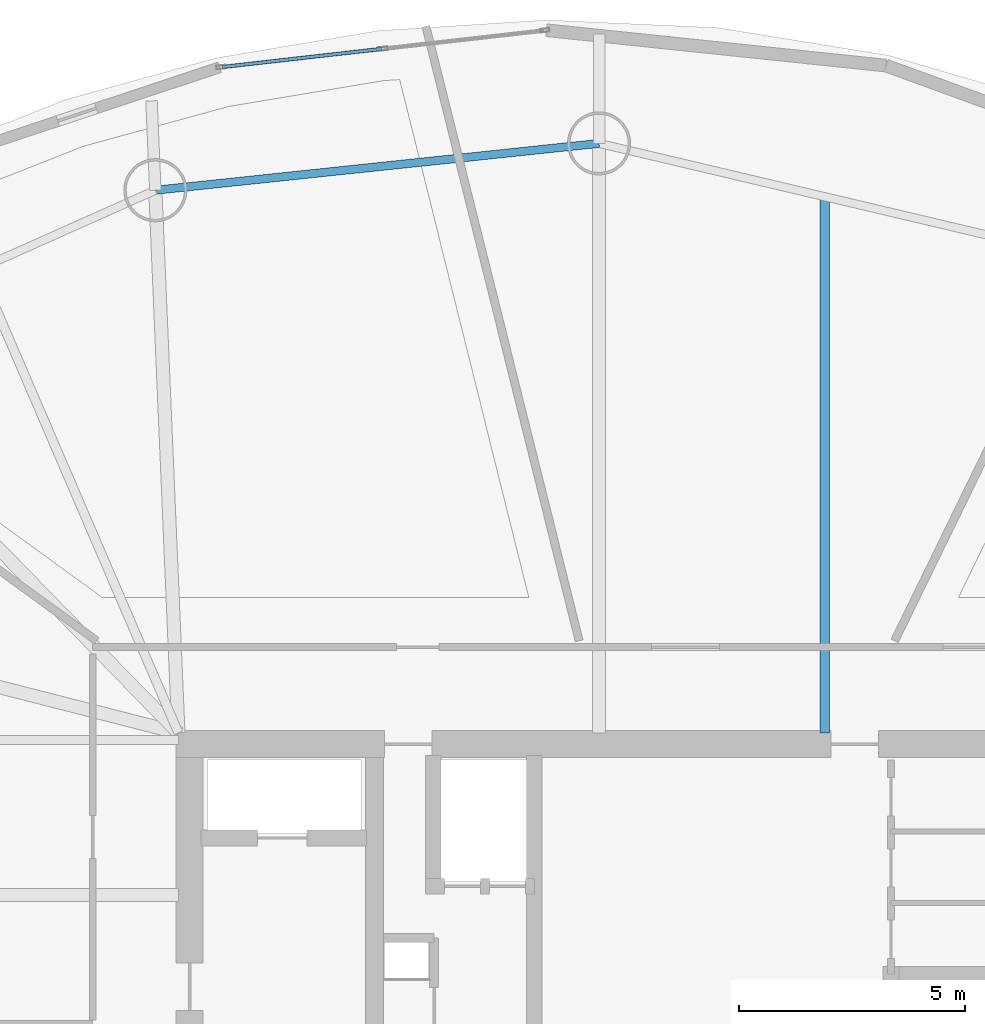
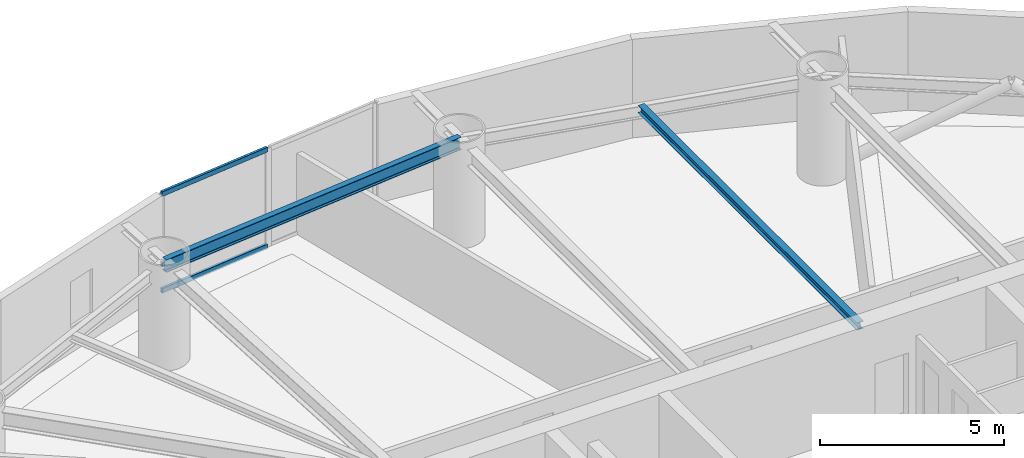
# One storey, part 12 of 22: 3 members, 2 beams, 1 element without a shape of its own.
"""IFC4 building model written with IfcOpenShell, lengths in metres."""

from ifc_helpers import new_model, si_unit, direction, frame, origin, origin_2d, place, context, subcontext, project, spatial, hollow_rectangle, i_section, extrude, material, layer, layer_set, material_profile, profile_set, type_object, element, aggregate, save


model = new_model("IFC4")

# Units and contexts
model_context = context("Model", 3, precision=1e-05, world=origin(), true_north=direction((0.0, 1.0)))
body_context = subcontext(model_context, "Body", "Model", "MODEL_VIEW")
ifc_project = project(units=[si_unit("LENGTHUNIT", "METRE"), si_unit("AREAUNIT", "SQUARE_METRE"), si_unit("VOLUMEUNIT", "CUBIC_METRE"), si_unit("PLANEANGLEUNIT", "RADIAN"), si_unit("MASSUNIT", "GRAM", prefix="KILO")], contexts=[model_context])

# Site, building, storey
site_placement = place(None, origin())
site = spatial("IfcSite", under=ifc_project, at=site_placement, CompositionType="ELEMENT")
building_placement = place(site_placement, origin())
building = spatial("IfcBuilding", under=site, at=building_placement, Name="Bramvorn Convention Spire", CompositionType="ELEMENT")
storey_placement = place(building_placement, frame((0.0, 0.0, 141.300048828125)))
storey = spatial("IfcBuildingStorey", under=building, at=storey_placement, Name="L35", CompositionType="ELEMENT", Elevation=141.300048828125)

# Beams
ifc_material_1 = material(Name="Steel CSA G40.21 Grade 350 (350W)", Category="steel")
ifc_material_profile_1 = material_profile(ifc_material_1, i_section(OverallWidth=0.201904296875, OverallDepth=0.2470703125, WebThickness=0.00732421875, FlangeThickness=0.010986328125, FilletRadius=0.011962890625, at=origin_2d()))
ifc_profile_set_1 = profile_set([ifc_material_profile_1], Name="Steel CSA G40.21 Grade 350 (350W) - W250X49")
beam_type_1 = type_object("IfcBeamType", Name="BM-W250X49", PredefinedType="JOIST", material=ifc_profile_set_1)
beam_1_placement = place(storey_placement, frame((41.079345703125, 33.449951171875, 3.136474609375), z_axis=(0.0, 1.0, 0.0), x_axis=(-1.0, 0.0, 0.0)))
element("IfcBeam", 1, at=beam_1_placement, inside=storey, type_object=beam_type_1, Name="L35 composite floor joist 05", PredefinedType="JOIST", context=body_context, shape_type="SweptSolid", body=[
    extrude(i_section(OverallWidth=0.201904296875, OverallDepth=0.2470703125, WebThickness=0.00732421875, FlangeThickness=0.010986328125, FilletRadius=0.011962890625, at=origin_2d()), origin(), (0.0, 0.0, 1.0), 11.8857421875),
])
ifc_material_profile_2 = material_profile(ifc_material_1, i_section(OverallWidth=0.180908203125, OverallDepth=0.4169921875, WebThickness=0.010986328125, FlangeThickness=0.018310546875, FilletRadius=0.01611328125, at=origin_2d()))
ifc_profile_set_2 = profile_set([ifc_material_profile_2], Name="Steel CSA G40.21 Grade 350 (350W) - W410X85")
beam_type_2 = type_object("IfcBeamType", Name="BM-W410X85", PredefinedType="JOIST", material=ifc_profile_set_2)
beam_2_placement = place(storey_placement, frame((36.075927734375, 46.517333984375, 3.051513671875), z_axis=(-0.994473491975, -0.104987969596, 0.0), x_axis=(0.104987969596, -0.994473491975, 0.0)))
element("IfcBeam", 2, at=beam_2_placement, inside=storey, type_object=beam_type_2, Name="L35 mega-column ring beam 06", PredefinedType="JOIST", context=body_context, shape_type="SweptSolid", body=[
    extrude(i_section(OverallWidth=0.180908203125, OverallDepth=0.4169921875, WebThickness=0.010986328125, FlangeThickness=0.018310546875, FilletRadius=0.01611328125, at=origin_2d()), origin(), (0.0, 0.0, 1.0), 9.892333984375),
])

# Curtain wall, members
ifc_material_2 = material(Name="Anodised Bronze Unitised Curtain Wall", Category="aluminium")
ifc_layer = layer(ifc_material_2, 0.179931640625)
ifc_layer_set = layer_set([ifc_layer], Name="Anodised Bronze Unitised Curtain Wall - CW-HTL-FRIT")
curtain_wall_type = type_object("IfcCurtainWallType", Name="CW-HTL-FRIT", PredefinedType="USERDEFINED", material=ifc_layer_set)
curtain_wall_placement = place(storey_placement, origin())
curtain_wall = element("IfcCurtainWall", 3, at=curtain_wall_placement, inside=storey, type_object=curtain_wall_type, Name="L35 fritted glass curtain wall 09", ObjectType="UNITISED CURTAIN WALL", PredefinedType="USERDEFINED")
ifc_material_3 = material(Name="Anodised Bronze Aluminium 6063-T6", Category="aluminium")
ifc_material_profile_3 = material_profile(ifc_material_3, hollow_rectangle(XDim=0.080078125, YDim=0.159912109375, WallThickness=0.00390625, InnerFilletRadius=0.0009765625, OuterFilletRadius=0.00390625, at=origin_2d()))
ifc_profile_set_3 = profile_set([ifc_material_profile_3], Name="Anodised Bronze Aluminium 6063-T6 - CWT80X160")
member_type = type_object("IfcMemberType", Name="CW-TRN-150", PredefinedType="USERDEFINED", material=ifc_profile_set_3)
member_1_placement = place(storey_placement, frame((27.72412109375, 48.210693359375, 0.030029296875), z_axis=(0.993617153238, 0.112804932474, 0.0), x_axis=(-0.112804932474, 0.993617153238, 0.0)))
member_1 = element("IfcMember", 4, at=member_1_placement, type_object=member_type, Name="CW2 transom 1.1", ObjectType="TRANSOM", PredefinedType="USERDEFINED", context=body_context, shape_type="SweptSolid", body=[
    extrude(hollow_rectangle(XDim=0.080078125, YDim=0.159912109375, WallThickness=0.00390625, InnerFilletRadius=0.0009765625, OuterFilletRadius=0.00390625, at=origin_2d()), origin(), (0.0, 0.0, 1.0), 3.555908203125),
])
member_2_placement = place(storey_placement, frame((27.72412109375, 48.210693359375, 0.89990234375), z_axis=(0.993617153238, 0.112804932474, 0.0), x_axis=(-0.112804932474, 0.993617153238, 0.0)))
member_2 = element("IfcMember", 5, at=member_2_placement, type_object=member_type, Name="CW2 transom 1.2", ObjectType="TRANSOM", PredefinedType="USERDEFINED", context=body_context, shape_type="SweptSolid", body=[
    extrude(hollow_rectangle(XDim=0.080078125, YDim=0.159912109375, WallThickness=0.00390625, InnerFilletRadius=0.0009765625, OuterFilletRadius=0.00390625, at=origin_2d()), origin(), (0.0, 0.0, 1.0), 3.555908203125),
])
member_3_placement = place(storey_placement, frame((27.72412109375, 48.210693359375, 3.22998046875), z_axis=(0.993617153238, 0.112804932474, 0.0), x_axis=(-0.112804932474, 0.993617153238, 0.0)))
member_3 = element("IfcMember", 6, at=member_3_placement, type_object=member_type, Name="CW2 transom 1.3", ObjectType="TRANSOM", PredefinedType="USERDEFINED", context=body_context, shape_type="SweptSolid", body=[
    extrude(hollow_rectangle(XDim=0.080078125, YDim=0.159912109375, WallThickness=0.00390625, InnerFilletRadius=0.0009765625, OuterFilletRadius=0.00390625, at=origin_2d()), origin(), (0.0, 0.0, 1.0), 3.555908203125),
])
aggregate(curtain_wall, [member_1, member_2, member_3])

save(model, "model.ifc")
